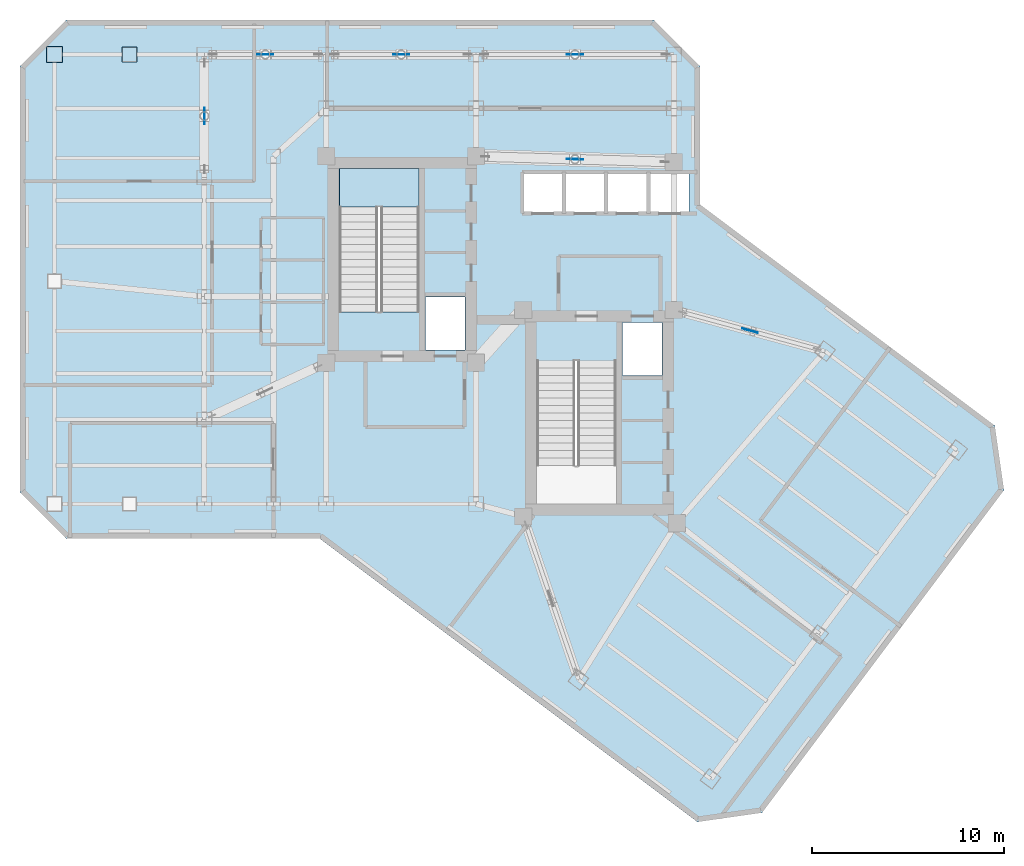
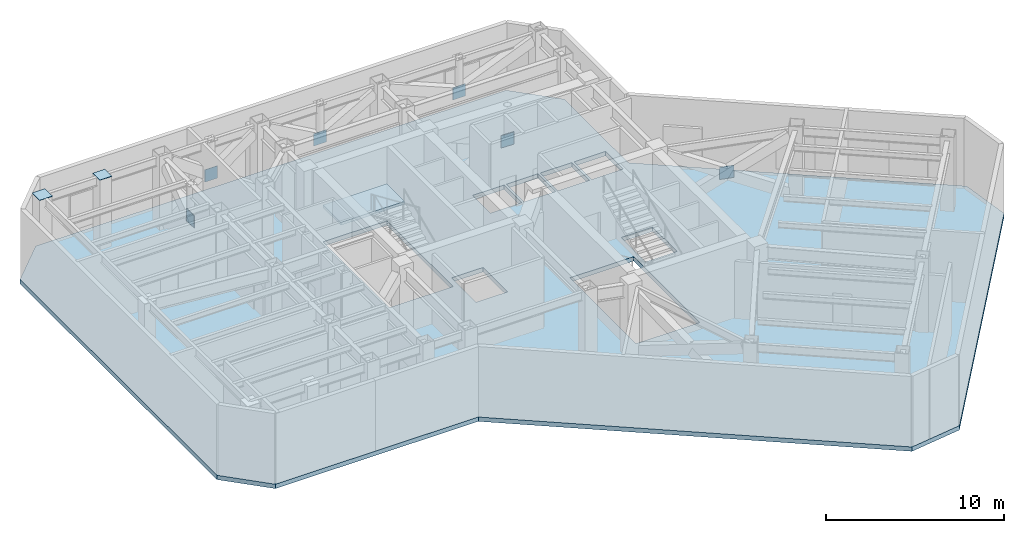
# One storey, part 4 of 12: 8 plates, 2 slabs, 1 element without a shape of its own.
"""IFC4 building model written with IfcOpenShell, lengths in metres."""

from ifc_helpers import new_model, si_unit, direction, frame, origin, origin_2d, place, context, subcontext, project, spatial, polyline, rectangle, outline, extrude, material, layer, layer_set, type_object, element, aggregate, save


model = new_model("IFC4")

# Units and contexts
model_context = context("Model", 3, precision=1e-05, world=origin(), true_north=direction((0.0, 1.0)))
body_context = subcontext(model_context, "Body", "Model", "MODEL_VIEW")
ifc_project = project(units=[si_unit("LENGTHUNIT", "METRE"), si_unit("AREAUNIT", "SQUARE_METRE"), si_unit("VOLUMEUNIT", "CUBIC_METRE"), si_unit("PLANEANGLEUNIT", "RADIAN"), si_unit("MASSUNIT", "GRAM", prefix="KILO")], contexts=[model_context])

# Site, building, storey
site_placement = place(None, origin())
site = spatial("IfcSite", under=ifc_project, at=site_placement, CompositionType="ELEMENT")
building_placement = place(site_placement, origin())
building = spatial("IfcBuilding", under=site, at=building_placement, Name="Hatsunagi Terrace Concourse", CompositionType="ELEMENT")
storey_placement = place(building_placement, frame((0.0, 0.0, 181.64990234375)))
storey = spatial("IfcBuildingStorey", under=building, at=storey_placement, Name="L48", CompositionType="ELEMENT", Elevation=181.64990234375)

# Plates
ifc_material_1 = material(Name="Steel SN490C", Category="steel")
ifc_layer_1 = layer(ifc_material_1, 0.031982421875)
ifc_layer_set_1 = layer_set([ifc_layer_1], Name="ColumnEndCapPlate_32")
plate_type_1 = type_object("IfcPlateType", Name="ColumnEndCapPlate_32", PredefinedType="USERDEFINED", material=ifc_layer_set_1)
plate_1_placement = place(storey_placement, frame((11.39990234375, 48.60009765625, 4.81787109375), z_axis=(0.0, 0.0, 1.0), x_axis=(1.0, 0.0, 0.0)))
element("IfcPlate", 1, at=plate_1_placement, inside=storey, type_object=plate_type_1, Name="Hollow Column Top Cap Plate GP-03 L48-WN2", ObjectType="GUSSET_PLATE", PredefinedType="USERDEFINED", context=body_context, shape_type="SweptSolid", body=[
    extrude(rectangle(XDim=0.840087890625, YDim=0.840087890625, at=origin_2d()), origin(), (0.0, 0.0, 1.0), 0.031982421875),
])
plate_2_placement = place(storey_placement, frame((15.300048828125, 48.60009765625, 4.81787109375), z_axis=(0.0, 0.0, 1.0), x_axis=(1.0, 0.0, 0.0)))
element("IfcPlate", 2, at=plate_2_placement, inside=storey, type_object=plate_type_1, Name="Hollow Column Top Cap Plate GP-03 L48-WT4", ObjectType="GUSSET_PLATE", PredefinedType="USERDEFINED", context=body_context, shape_type="SweptSolid", body=[
    extrude(rectangle(XDim=0.7900390625, YDim=0.7900390625, at=origin_2d()), origin(), (0.0, 0.0, 1.0), 0.031982421875),
])

# Stair, slab
ifc_material_2 = material(Name="Concrete Fc42", Category="concrete")
stair_type = type_object("IfcStairType", Name="DoglegExitStair_Tower2000_30R_170", PredefinedType="HALF_TURN_STAIR", material=ifc_material_2)
stair_placement = place(storey_placement, origin())
stair = element("IfcStair", 3, at=stair_placement, inside=storey, type_object=stair_type, Name="L48 Core A Protected Exit Stair ST-A", PredefinedType="HALF_TURN_STAIR")
ifc_material_3 = material(Name="Concrete Fc42", Category="concrete")
ifc_layer_2 = layer(ifc_material_3, 0.199951171875)
ifc_layer_set_2 = layer_set([ifc_layer_2], Name="DoglegStairLanding_Tower2000")
slab_type_1 = type_object("IfcSlabType", Name="DoglegStairLanding_Tower2000", PredefinedType="LANDING", material=ifc_layer_set_2)
slab_1_placement = place(storey_placement, frame((0.0, 0.0, 2.35009765625)))
slab_1 = element("IfcSlab", 4, at=slab_1_placement, type_object=slab_type_1, Name="ST-A landing 1", PredefinedType="LANDING", context=body_context, shape_type="SweptSolid", body=[
    extrude(outline(polyline([(30.3798828125, 40.659912109375), (30.3798828125, 42.659912109375), (26.22998046875, 42.659912109375), (26.22998046875, 40.659912109375), (30.3798828125, 40.659912109375)])), origin(), (0.0, 0.0, 1.0), 0.199951171875),
])
aggregate(stair, [slab_1])

# Plates
ifc_material_4 = material(Name="Steel SN490C", Category="steel")
ifc_layer_3 = layer(ifc_material_4, 0.035888671875)
ifc_layer_set_3 = layer_set([ifc_layer_3], Name="OutriggerGussetPlate_36")
plate_type_2 = type_object("IfcPlateType", Name="OutriggerGussetPlate_36", PredefinedType="USERDEFINED", material=ifc_layer_set_3)
for number, where, z_axis, x_axis, name in (
    (5, (19.199951171875, 45.39990234375, 2.0048828125), (0.0, 0.0, 1.0), (0.0, 1.0, 0.0), "Crossing Gusset Node Plate GP-01 OUT-L48-2"),
    (6, (22.375, 48.60009765625, 2.0048828125), (0.0, 0.0, 1.0), (1.0, 0.0, 0.0), "Crossing Gusset Node Plate GP-01 OUT-L48-3"),
    (7, (29.449951171875, 48.60009765625, 2.0048828125), (0.0, 0.0, 1.0), (1.0, 0.0, 0.0), "Crossing Gusset Node Plate GP-01 OUT-L48-4"),
    (8, (47.60888671875, 34.22412109375, 2.0048828125), (0.0, 0.0, 1.0), (0.964961560534, -0.262391285471, 0.0), "Crossing Gusset Node Plate GP-01 OUT-L48-6"),
    (9, (38.5, 43.14990234375, 2.0048828125), (0.0, 0.0, 1.0), (0.999576120557, -0.029113213716, 0.0), "Crossing Gusset Node Plate GP-01 OUT-L48-7"),
    (10, (38.5, 48.60009765625, 2.0048828125), (0.0, 0.0, 1.0), (1.0, 0.0, 0.0), "Crossing Gusset Node Plate GP-01 OUT-L48-8"),
):
    element("IfcPlate", number, at=place(storey_placement, frame(where, z_axis=z_axis, x_axis=x_axis)), inside=storey, type_object=plate_type_2, Name=name, ObjectType="GUSSET_PLATE", PredefinedType="USERDEFINED", context=body_context, shape_type="SweptSolid", body=[
        extrude(rectangle(XDim=0.840087890625, YDim=0.035888671875, at=origin_2d()), origin(), (0.0, 0.0, 1.0), 0.840087890625),
    ])

# Slab
ifc_material_5 = material(Name="Concrete Fc42", Category="concrete")
ifc_layer_4 = layer(ifc_material_5, 0.300048828125)
ifc_layer_set_4 = layer_set([ifc_layer_4], Name="PodiumTransferSlab_Fc42_300")
slab_type_2 = type_object("IfcSlabType", Name="PodiumTransferSlab_Fc42_300", PredefinedType="FLOOR", material=ifc_layer_set_4)
slab_2_placement = place(storey_placement, frame((0.0, 0.0, -0.2998046875)))
element("IfcSlab", 11, at=slab_2_placement, inside=storey, type_object=slab_type_2, Name="Floor Slab SL-300 L48", PredefinedType="FLOOR", context=body_context, shape_type="SweptSolid", body=[
    extrude(outline(polyline([(45.0, 40.800048828125), (45.0, 48.0), (42.60009765625, 50.39990234375), (12.0, 50.39990234375), (9.60009765625, 48.0), (9.60009765625, 25.800048828125), (12.0, 23.39990234375), (25.199951171875, 23.39990234375), (44.8798828125, 8.639892578125), (48.239990234375, 9.1201171875), (60.840087890625, 25.919921875), (60.360107421875, 29.280029296875), (45.0, 40.800048828125)]), holes=[polyline([(26.22998046875, 35.205078125), (30.3798828125, 35.205078125), (30.3798828125, 42.659912109375), (26.22998046875, 42.659912109375), (26.22998046875, 35.205078125)]), polyline([(36.5, 25.199951171875), (40.64990234375, 25.199951171875), (40.64990234375, 32.655029296875), (36.5, 32.655029296875), (36.5, 25.199951171875)]), polyline([(30.719970703125, 33.219970703125), (32.780029296875, 33.219970703125), (32.780029296875, 35.97998046875), (30.719970703125, 35.97998046875), (30.719970703125, 33.219970703125)]), polyline([(40.97998046875, 31.8798828125), (43.02001953125, 31.8798828125), (43.02001953125, 34.639892578125), (40.97998046875, 34.639892578125), (40.97998046875, 31.8798828125)]), polyline([(35.800048828125, 40.39990234375), (37.85009765625, 40.39990234375), (37.85009765625, 42.39990234375), (35.800048828125, 42.39990234375), (35.800048828125, 40.39990234375)]), polyline([(38.0, 40.39990234375), (40.050048828125, 40.39990234375), (40.050048828125, 42.39990234375), (38.0, 42.39990234375), (38.0, 40.39990234375)]), polyline([(40.199951171875, 40.39990234375), (42.25, 40.39990234375), (42.25, 42.39990234375), (40.199951171875, 42.39990234375), (40.199951171875, 40.39990234375)]), polyline([(42.39990234375, 40.39990234375), (44.449951171875, 40.39990234375), (44.449951171875, 42.39990234375), (42.39990234375, 42.39990234375), (42.39990234375, 40.39990234375)])]), origin(), (0.0, 0.0, 1.0), 0.2998046875),
])

save(model, "model.ifc")
